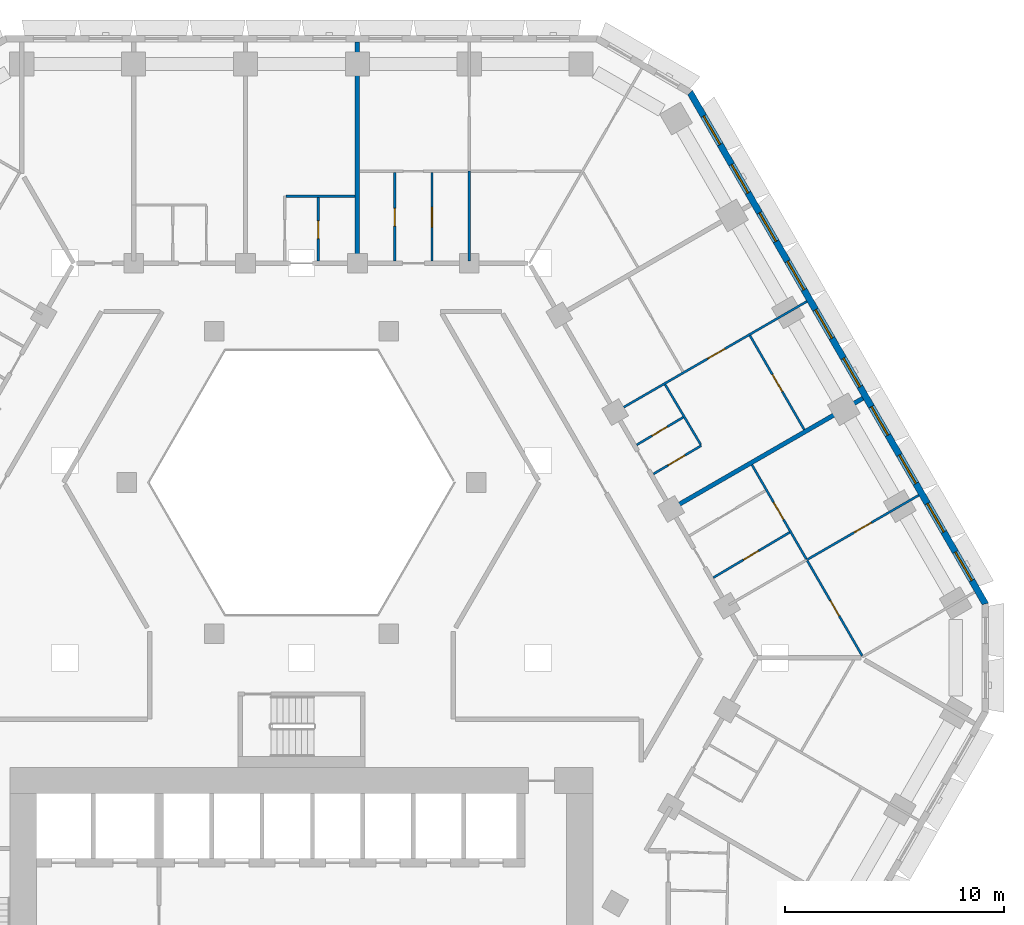
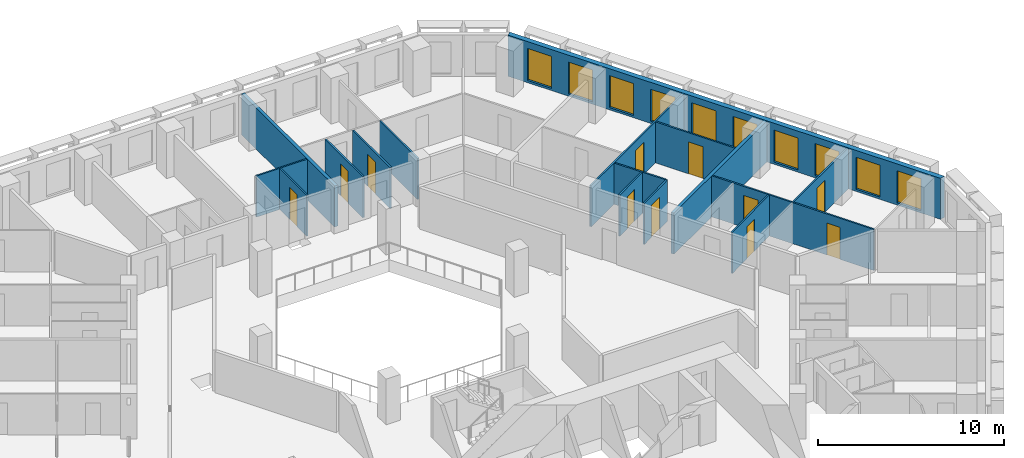
# One storey, part 11 of 21: 16 walls, 11 doors, 10 windows, 21 openings.
"""IFC4 building model written with IfcOpenShell, lengths in metres."""

from ifc_helpers import new_model, si_unit, direction, frame, frame_2d, origin, place, context, subcontext, project, spatial, polyline, rectangle, outline, extrude, material, layer, layer_set, type_object, element, fill, save


model = new_model("IFC4")

# Units and contexts
model_context = context("Model", 3, precision=1e-05, world=origin(), true_north=direction((0.0, 1.0)))
body_context = subcontext(model_context, "Body", "Model", "MODEL_VIEW")
ifc_project = project(units=[si_unit("LENGTHUNIT", "METRE"), si_unit("AREAUNIT", "SQUARE_METRE"), si_unit("VOLUMEUNIT", "CUBIC_METRE"), si_unit("PLANEANGLEUNIT", "RADIAN"), si_unit("MASSUNIT", "GRAM", prefix="KILO")], contexts=[model_context])

# Site, building, storey
site_placement = place(None, origin())
site = spatial("IfcSite", under=ifc_project, at=site_placement, CompositionType="ELEMENT")
building_placement = place(site_placement, origin())
building = spatial("IfcBuilding", under=site, at=building_placement, Name="Beryl Residences", CompositionType="ELEMENT")
storey_placement = place(building_placement, frame((0.0, 0.0, 23.39990234375)))
storey = spatial("IfcBuildingStorey", under=building, at=storey_placement, Name="L06", CompositionType="ELEMENT", Elevation=23.39990234375)

# Wall, openings, windows
ifc_material_1 = material(Name="Composite metal panel with mineral wool insulation")
ifc_layer_1 = layer(ifc_material_1, 0.300048828125)
ifc_layer_set_1 = layer_set([ifc_layer_1], Name="ES1 pale metal composite panel wall 300 mm")
wall_type_1 = type_object("IfcWallType", Name="ES1 pale metal composite panel wall 300 mm", PredefinedType="SOLIDWALL", material=ifc_layer_set_1)
wall_1_placement = place(storey_placement, frame((31.219970703125, 2.425048828125, 0.0), z_axis=(0.0, 0.0, 1.0), x_axis=(-0.500001938803, 0.866024284413, 0.0)))
wall_1 = element("IfcWall", 1, at=wall_1_placement, inside=storey, type_object=wall_type_1, Name="ES1 external wall L06 NE", PredefinedType="SOLIDWALL", context=body_context, shape_type="SweptSolid", body=[
    extrude(outline(polyline([(0.0, -0.14990234375), (27.02001953125, -0.14990234375), (26.939697265625, 0.14990234375), (0.080322265625, 0.14990234375), (0.0, -0.14990234375)])), origin(), (0.0, 0.0, 1.0), 2.7001953125),
])
opening_1_placement = place(wall_1_placement, frame((1.277099609375, 0.0, 0.14990234375)))
opening_1 = element("IfcOpeningElement", 2, at=opening_1_placement, cuts=wall_1, Name="Opening W1", PredefinedType="OPENING", context=body_context, shape_type="SweptSolid", body=[
    extrude(rectangle(XDim=1.5, YDim=2.10009765625, at=frame_2d((0.75, 1.050048828125))), frame((0.0, 0.159912109375, 0.0), z_axis=(0.0, -1.0, 0.0), x_axis=(1.0, 0.0, 0.0)), (0.0, 0.0, 1.0), 0.320068359375),
])
opening_2_placement = place(wall_1_placement, frame((3.8291015625, 0.0, 0.14990234375)))
opening_2 = element("IfcOpeningElement", 3, at=opening_2_placement, cuts=wall_1, Name="Opening W1", PredefinedType="OPENING", context=body_context, shape_type="SweptSolid", body=[
    extrude(rectangle(XDim=1.5, YDim=2.10009765625, at=frame_2d((0.75, 1.050048828125))), frame((0.0, 0.159912109375, 0.0), z_axis=(0.0, -1.0, 0.0), x_axis=(1.0, 0.0, 0.0)), (0.0, 0.0, 1.0), 0.320068359375),
])
opening_3_placement = place(wall_1_placement, frame((6.382080078125, 0.0, 0.14990234375)))
opening_3 = element("IfcOpeningElement", 4, at=opening_3_placement, cuts=wall_1, Name="Opening W1", PredefinedType="OPENING", context=body_context, shape_type="SweptSolid", body=[
    extrude(rectangle(XDim=1.5, YDim=2.10009765625, at=frame_2d((0.75, 1.050048828125))), frame((0.0, 0.159912109375, 0.0), z_axis=(0.0, -1.0, 0.0), x_axis=(1.0, 0.0, 0.0)), (0.0, 0.0, 1.0), 0.320068359375),
])
opening_4_placement = place(wall_1_placement, frame((8.93310546875, 0.0, 0.14990234375)))
opening_4 = element("IfcOpeningElement", 5, at=opening_4_placement, cuts=wall_1, Name="Opening W1", PredefinedType="OPENING", context=body_context, shape_type="SweptSolid", body=[
    extrude(rectangle(XDim=1.5, YDim=2.10009765625, at=frame_2d((0.75, 1.050048828125))), frame((0.0, 0.159912109375, 0.0), z_axis=(0.0, -1.0, 0.0), x_axis=(1.0, 0.0, 0.0)), (0.0, 0.0, 1.0), 0.320068359375),
])
opening_5_placement = place(wall_1_placement, frame((11.485107421875, 0.0, 0.14990234375)))
opening_5 = element("IfcOpeningElement", 6, at=opening_5_placement, cuts=wall_1, Name="Opening W1", PredefinedType="OPENING", context=body_context, shape_type="SweptSolid", body=[
    extrude(rectangle(XDim=1.5, YDim=2.10009765625, at=frame_2d((0.75, 1.050048828125))), frame((0.0, 0.159912109375, 0.0), z_axis=(0.0, -1.0, 0.0), x_axis=(1.0, 0.0, 0.0)), (0.0, 0.0, 1.0), 0.320068359375),
])
opening_6_placement = place(wall_1_placement, frame((14.037109375, 0.0, 0.14990234375)))
opening_6 = element("IfcOpeningElement", 7, at=opening_6_placement, cuts=wall_1, Name="Opening W1", PredefinedType="OPENING", context=body_context, shape_type="SweptSolid", body=[
    extrude(rectangle(XDim=1.5, YDim=2.10009765625, at=frame_2d((0.75, 1.050048828125))), frame((0.0, 0.159912109375, 0.0), z_axis=(0.0, -1.0, 0.0), x_axis=(1.0, 0.0, 0.0)), (0.0, 0.0, 1.0), 0.320068359375),
])
opening_7_placement = place(wall_1_placement, frame((16.589111328125, 0.0, 0.14990234375)))
opening_7 = element("IfcOpeningElement", 8, at=opening_7_placement, cuts=wall_1, Name="Opening W1", PredefinedType="OPENING", context=body_context, shape_type="SweptSolid", body=[
    extrude(rectangle(XDim=1.5, YDim=2.10009765625, at=frame_2d((0.75, 1.050048828125))), frame((0.0, 0.159912109375, 0.0), z_axis=(0.0, -1.0, 0.0), x_axis=(1.0, 0.0, 0.0)), (0.0, 0.0, 1.0), 0.320068359375),
])
opening_8_placement = place(wall_1_placement, frame((19.14111328125, 0.0, 0.14990234375)))
opening_8 = element("IfcOpeningElement", 9, at=opening_8_placement, cuts=wall_1, Name="Opening W1", PredefinedType="OPENING", context=body_context, shape_type="SweptSolid", body=[
    extrude(rectangle(XDim=1.5, YDim=2.10009765625, at=frame_2d((0.75, 1.050048828125))), frame((0.0, 0.159912109375, 0.0), z_axis=(0.0, -1.0, 0.0), x_axis=(1.0, 0.0, 0.0)), (0.0, 0.0, 1.0), 0.320068359375),
])
opening_9_placement = place(wall_1_placement, frame((21.693115234375, 0.0, 0.14990234375)))
opening_9 = element("IfcOpeningElement", 10, at=opening_9_placement, cuts=wall_1, Name="Opening W1", PredefinedType="OPENING", context=body_context, shape_type="SweptSolid", body=[
    extrude(rectangle(XDim=1.5, YDim=2.10009765625, at=frame_2d((0.75, 1.050048828125))), frame((0.0, 0.159912109375, 0.0), z_axis=(0.0, -1.0, 0.0), x_axis=(1.0, 0.0, 0.0)), (0.0, 0.0, 1.0), 0.320068359375),
])
opening_10_placement = place(wall_1_placement, frame((24.243896484375, 0.0, 0.14990234375)))
opening_10 = element("IfcOpeningElement", 11, at=opening_10_placement, cuts=wall_1, Name="Opening W1", PredefinedType="OPENING", context=body_context, shape_type="SweptSolid", body=[
    extrude(rectangle(XDim=1.5, YDim=2.10009765625, at=frame_2d((0.75, 1.050048828125))), frame((0.0, 0.159912109375, 0.0), z_axis=(0.0, -1.0, 0.0), x_axis=(1.0, 0.0, 0.0)), (0.0, 0.0, 1.0), 0.320068359375),
])
ifc_material_2 = material(Name="Aluminium and clear glass", Category="aluminium")
window_type = type_object("IfcWindowType", Name="W1 cell window 1500 x 2100 mm", PartitioningType="SINGLE_PANEL", PredefinedType="WINDOW", material=ifc_material_2)
window_1_placement = place(opening_1_placement, origin())
window_1 = element("IfcWindow", 12, at=window_1_placement, inside=storey, type_object=window_type, Name="W1 window L06 NE 1", OverallHeight=2.10009765625, OverallWidth=1.5, PartitioningType="SINGLE_PANEL", PredefinedType="WINDOW", context=body_context, shape_type="SweptSolid", body=[
    extrude(rectangle(XDim=1.5, YDim=2.10009765625, at=frame_2d((0.75, 1.050048828125))), frame((0.0, 0.030029296875, 0.0), z_axis=(0.0, -1.0, 0.0), x_axis=(1.0, 0.0, 0.0)), (0.0, 0.0, 1.0), 0.06005859375),
])
fill(opening_1, window_1)
window_2_placement = place(opening_2_placement, origin())
window_2 = element("IfcWindow", 13, at=window_2_placement, inside=storey, type_object=window_type, Name="W1 window L06 NE 2", OverallHeight=2.10009765625, OverallWidth=1.5, PartitioningType="SINGLE_PANEL", PredefinedType="WINDOW", context=body_context, shape_type="SweptSolid", body=[
    extrude(rectangle(XDim=1.5, YDim=2.10009765625, at=frame_2d((0.75, 1.050048828125))), frame((0.0, 0.030029296875, 0.0), z_axis=(0.0, -1.0, 0.0), x_axis=(1.0, 0.0, 0.0)), (0.0, 0.0, 1.0), 0.06005859375),
])
fill(opening_2, window_2)
window_3_placement = place(opening_3_placement, origin())
window_3 = element("IfcWindow", 14, at=window_3_placement, inside=storey, type_object=window_type, Name="W1 window L06 NE 3", OverallHeight=2.10009765625, OverallWidth=1.5, PartitioningType="SINGLE_PANEL", PredefinedType="WINDOW", context=body_context, shape_type="SweptSolid", body=[
    extrude(rectangle(XDim=1.5, YDim=2.10009765625, at=frame_2d((0.75, 1.050048828125))), frame((0.0, 0.030029296875, 0.0), z_axis=(0.0, -1.0, 0.0), x_axis=(1.0, 0.0, 0.0)), (0.0, 0.0, 1.0), 0.06005859375),
])
fill(opening_3, window_3)
window_4_placement = place(opening_4_placement, origin())
window_4 = element("IfcWindow", 15, at=window_4_placement, inside=storey, type_object=window_type, Name="W1 window L06 NE 4", OverallHeight=2.10009765625, OverallWidth=1.5, PartitioningType="SINGLE_PANEL", PredefinedType="WINDOW", context=body_context, shape_type="SweptSolid", body=[
    extrude(rectangle(XDim=1.5, YDim=2.10009765625, at=frame_2d((0.75, 1.050048828125))), frame((0.0, 0.030029296875, 0.0), z_axis=(0.0, -1.0, 0.0), x_axis=(1.0, 0.0, 0.0)), (0.0, 0.0, 1.0), 0.06005859375),
])
fill(opening_4, window_4)
window_5_placement = place(opening_5_placement, origin())
window_5 = element("IfcWindow", 16, at=window_5_placement, inside=storey, type_object=window_type, Name="W1 window L06 NE 5", OverallHeight=2.10009765625, OverallWidth=1.5, PartitioningType="SINGLE_PANEL", PredefinedType="WINDOW", context=body_context, shape_type="SweptSolid", body=[
    extrude(rectangle(XDim=1.5, YDim=2.10009765625, at=frame_2d((0.75, 1.050048828125))), frame((0.0, 0.030029296875, 0.0), z_axis=(0.0, -1.0, 0.0), x_axis=(1.0, 0.0, 0.0)), (0.0, 0.0, 1.0), 0.06005859375),
])
fill(opening_5, window_5)
window_6_placement = place(opening_6_placement, origin())
window_6 = element("IfcWindow", 17, at=window_6_placement, inside=storey, type_object=window_type, Name="W1 window L06 NE 6", OverallHeight=2.10009765625, OverallWidth=1.5, PartitioningType="SINGLE_PANEL", PredefinedType="WINDOW", context=body_context, shape_type="SweptSolid", body=[
    extrude(rectangle(XDim=1.5, YDim=2.10009765625, at=frame_2d((0.75, 1.050048828125))), frame((0.0, 0.030029296875, 0.0), z_axis=(0.0, -1.0, 0.0), x_axis=(1.0, 0.0, 0.0)), (0.0, 0.0, 1.0), 0.06005859375),
])
fill(opening_6, window_6)
window_7_placement = place(opening_7_placement, origin())
window_7 = element("IfcWindow", 18, at=window_7_placement, inside=storey, type_object=window_type, Name="W1 window L06 NE 7", OverallHeight=2.10009765625, OverallWidth=1.5, PartitioningType="SINGLE_PANEL", PredefinedType="WINDOW", context=body_context, shape_type="SweptSolid", body=[
    extrude(rectangle(XDim=1.5, YDim=2.10009765625, at=frame_2d((0.75, 1.050048828125))), frame((0.0, 0.030029296875, 0.0), z_axis=(0.0, -1.0, 0.0), x_axis=(1.0, 0.0, 0.0)), (0.0, 0.0, 1.0), 0.06005859375),
])
fill(opening_7, window_7)
window_8_placement = place(opening_8_placement, origin())
window_8 = element("IfcWindow", 19, at=window_8_placement, inside=storey, type_object=window_type, Name="W1 window L06 NE 8", OverallHeight=2.10009765625, OverallWidth=1.5, PartitioningType="SINGLE_PANEL", PredefinedType="WINDOW", context=body_context, shape_type="SweptSolid", body=[
    extrude(rectangle(XDim=1.5, YDim=2.10009765625, at=frame_2d((0.75, 1.050048828125))), frame((0.0, 0.030029296875, 0.0), z_axis=(0.0, -1.0, 0.0), x_axis=(1.0, 0.0, 0.0)), (0.0, 0.0, 1.0), 0.06005859375),
])
fill(opening_8, window_8)
window_9_placement = place(opening_9_placement, origin())
window_9 = element("IfcWindow", 20, at=window_9_placement, inside=storey, type_object=window_type, Name="W1 window L06 NE 9", OverallHeight=2.10009765625, OverallWidth=1.5, PartitioningType="SINGLE_PANEL", PredefinedType="WINDOW", context=body_context, shape_type="SweptSolid", body=[
    extrude(rectangle(XDim=1.5, YDim=2.10009765625, at=frame_2d((0.75, 1.050048828125))), frame((0.0, 0.030029296875, 0.0), z_axis=(0.0, -1.0, 0.0), x_axis=(1.0, 0.0, 0.0)), (0.0, 0.0, 1.0), 0.06005859375),
])
fill(opening_9, window_9)
window_10_placement = place(opening_10_placement, origin())
window_10 = element("IfcWindow", 21, at=window_10_placement, inside=storey, type_object=window_type, Name="W1 window L06 NE 10", OverallHeight=2.10009765625, OverallWidth=1.5, PartitioningType="SINGLE_PANEL", PredefinedType="WINDOW", context=body_context, shape_type="SweptSolid", body=[
    extrude(rectangle(XDim=1.5, YDim=2.10009765625, at=frame_2d((0.75, 1.050048828125))), frame((0.0, 0.030029296875, 0.0), z_axis=(0.0, -1.0, 0.0), x_axis=(1.0, 0.0, 0.0)), (0.0, 0.0, 1.0), 0.06005859375),
])
fill(opening_10, window_10)

# Wall
ifc_material_3 = material(Name="Gypsum board partition on steel studs", Category="steel")
ifc_layer_2 = layer(ifc_material_3, 0.10009765625)
ifc_layer_set_2 = layer_set([ifc_layer_2], Name="PT1 partition 100 mm gypsum board on steel studs")
wall_type_2 = type_object("IfcWallType", Name="PT1 partition 100 mm gypsum board on steel studs", PredefinedType="PARTITIONING", material=ifc_layer_set_2)
wall_2_placement = place(storey_placement, frame((16.589111328125, 12.468017578125, 0.0), z_axis=(0.0, 0.0, 1.0), x_axis=(0.510331599186, -0.859977708358, 0.0)))
element("IfcWall", 22, at=wall_2_placement, inside=storey, type_object=wall_type_2, Name="Wall PT1 L06 001", PredefinedType="PARTITIONING", context=body_context, shape_type="SweptSolid", body=[
    extrude(rectangle(XDim=3.18603515625, YDim=0.10009765625, at=frame_2d((1.593017578125, 0.0))), origin(), (0.0, 0.0, 1.0), 2.7001953125),
])

# Wall, openings, doors
wall_3_placement = place(storey_placement, frame((20.551025390625, 8.804931640625, 0.0), z_axis=(0.0, 0.0, 1.0), x_axis=(0.499984387913, -0.86603441724, 0.0)))
wall_3 = element("IfcWall", 23, at=wall_3_placement, inside=storey, type_object=wall_type_2, Name="Wall PT1 L06 005", PredefinedType="PARTITIONING", context=body_context, shape_type="SweptSolid", body=[
    extrude(rectangle(XDim=10.058349609375, YDim=0.10009765625, at=frame_2d((5.029296875, 0.0))), origin(), (0.0, 0.0, 1.0), 2.7001953125),
])
opening_11_placement = place(wall_3_placement, frame((1.97802734375, 0.0, 0.0)))
opening_11 = element("IfcOpeningElement", 24, at=opening_11_placement, cuts=wall_3, Name="Opening D0131", PredefinedType="OPENING", context=body_context, shape_type="SweptSolid", body=[
    extrude(rectangle(XDim=0.89990234375, YDim=2.10009765625, at=frame_2d((0.449951171875, 1.050048828125))), frame((0.0, 0.06005859375, 0.0), z_axis=(0.0, -1.0, 0.0), x_axis=(1.0, 0.0, 0.0)), (0.0, 0.0, 1.0), 0.1201171875),
])
opening_12_placement = place(wall_3_placement, frame((7.156982421875, 0.0, 0.0)))
opening_12 = element("IfcOpeningElement", 25, at=opening_12_placement, cuts=wall_3, Name="Opening D0134", PredefinedType="OPENING", context=body_context, shape_type="SweptSolid", body=[
    extrude(rectangle(XDim=0.800048828125, YDim=2.10009765625, at=frame_2d((0.39990234375, 1.050048828125))), frame((0.0, 0.06005859375, 0.0), z_axis=(0.0, -1.0, 0.0), x_axis=(1.0, 0.0, 0.0)), (0.0, 0.0, 1.0), 0.1201171875),
])
ifc_material_4 = material(Name="Timber door leaf", Category="wood")
door_type_1 = type_object("IfcDoorType", Name="D2 room door 900 x 2100 mm", OperationType="SINGLE_SWING_LEFT", PredefinedType="DOOR", material=ifc_material_4)
door_1_placement = place(opening_11_placement, origin())
door_1 = element("IfcDoor", 26, at=door_1_placement, inside=storey, type_object=door_type_1, Name="Door D0131 L06 001", OperationType="SINGLE_SWING_LEFT", OverallHeight=2.10009765625, OverallWidth=0.89990234375, PredefinedType="DOOR", context=body_context, shape_type="SweptSolid", body=[
    extrude(rectangle(XDim=0.89990234375, YDim=2.10009765625, at=frame_2d((0.449951171875, 1.050048828125))), frame((0.0, 0.02490234375, 0.0), z_axis=(0.0, -1.0, 0.0), x_axis=(1.0, 0.0, 0.0)), (0.0, 0.0, 1.0), 0.050048828125),
])
fill(opening_11, door_1)
ifc_material_5 = material(Name="Timber door leaf", Category="wood")
door_type_2 = type_object("IfcDoorType", Name="D3 bathroom door 800 x 2100 mm", OperationType="SINGLE_SWING_LEFT", PredefinedType="DOOR", material=ifc_material_5)
door_2_placement = place(opening_12_placement, origin())
door_2 = element("IfcDoor", 27, at=door_2_placement, inside=storey, type_object=door_type_2, Name="Door D0134 L06 001", OperationType="SINGLE_SWING_RIGHT", OverallHeight=2.10009765625, OverallWidth=0.800048828125, PredefinedType="DOOR", context=body_context, shape_type="SweptSolid", body=[
    extrude(rectangle(XDim=0.800048828125, YDim=2.10009765625, at=frame_2d((0.39990234375, 1.050048828125))), frame((0.0, 0.02490234375, 0.0), z_axis=(0.0, -1.0, 0.0), x_axis=(1.0, 0.0, 0.0)), (0.0, 0.0, 1.0), 0.050048828125),
])
fill(opening_12, door_2)

# Wall, opening, door
wall_4_placement = place(storey_placement, frame((20.4599609375, 14.702880859375, 0.0), z_axis=(0.0, 0.0, 1.0), x_axis=(0.499903082856, -0.866081351693, 0.0)))
wall_4 = element("IfcWall", 28, at=wall_4_placement, inside=storey, type_object=wall_type_2, Name="Wall PT1 L06 006", PredefinedType="PARTITIONING", context=body_context, shape_type="SweptSolid", body=[
    extrude(rectangle(XDim=4.953125, YDim=0.10009765625, at=frame_2d((2.4765625, 0.0))), origin(), (0.0, 0.0, 1.0), 2.7001953125),
])
opening_13_placement = place(wall_4_placement, frame((2.052001953125, 0.0, 0.0)))
opening_13 = element("IfcOpeningElement", 29, at=opening_13_placement, cuts=wall_4, Name="Opening D0138", PredefinedType="OPENING", context=body_context, shape_type="SweptSolid", body=[
    extrude(rectangle(XDim=0.89990234375, YDim=2.10009765625, at=frame_2d((0.449951171875, 1.050048828125))), frame((0.0, 0.06005859375, 0.0), z_axis=(0.0, -1.0, 0.0), x_axis=(1.0, 0.0, 0.0)), (0.0, 0.0, 1.0), 0.1201171875),
])
door_3_placement = place(opening_13_placement, origin())
door_3 = element("IfcDoor", 30, at=door_3_placement, inside=storey, type_object=door_type_1, Name="Door D0138 L06 001", OperationType="SINGLE_SWING_RIGHT", OverallHeight=2.10009765625, OverallWidth=0.89990234375, PredefinedType="DOOR", context=body_context, shape_type="SweptSolid", body=[
    extrude(rectangle(XDim=0.89990234375, YDim=2.10009765625, at=frame_2d((0.449951171875, 1.050048828125))), frame((0.0, 0.02490234375, 0.0), z_axis=(0.0, -1.0, 0.0), x_axis=(1.0, 0.0, 0.0)), (0.0, 0.0, 1.0), 0.050048828125),
])
fill(opening_13, door_3)

# Wall
wall_5_placement = place(storey_placement, frame((-0.716064453125, 21.06005859375, 0.0), z_axis=(0.0, 0.0, 1.0), x_axis=(1.0, 0.0, 0.0)))
element("IfcWall", 31, at=wall_5_placement, inside=storey, type_object=wall_type_2, Name="Wall PT1 L06 033", PredefinedType="PARTITIONING", context=body_context, shape_type="SweptSolid", body=[
    extrude(rectangle(XDim=3.1669921875, YDim=0.10009765625, at=frame_2d((1.58349609375, 0.0))), origin(), (0.0, 0.0, 1.0), 2.7001953125),
])

# Wall, opening, door
wall_6_placement = place(storey_placement, frame((4.2529296875, 18.10009765625, 0.0), z_axis=(0.0, 0.0, 1.0), x_axis=(0.0, 1.0, 0.0)))
wall_6 = element("IfcWall", 32, at=wall_6_placement, inside=storey, type_object=wall_type_2, Name="Wall PT1 L06 042", PredefinedType="PARTITIONING", context=body_context, shape_type="SweptSolid", body=[
    extrude(rectangle(XDim=4.0498046875, YDim=0.10009765625, at=frame_2d((2.02490234375, 0.0))), origin(), (0.0, 0.0, 1.0), 2.7001953125),
])
opening_14_placement = place(wall_6_placement, frame((1.60009765625, 0.0, 0.0)))
opening_14 = element("IfcOpeningElement", 33, at=opening_14_placement, cuts=wall_6, Name="Opening D0142", PredefinedType="OPENING", context=body_context, shape_type="SweptSolid", body=[
    extrude(rectangle(XDim=0.800048828125, YDim=2.10009765625, at=frame_2d((0.39990234375, 1.050048828125))), frame((0.0, 0.06005859375, 0.0), z_axis=(0.0, -1.0, 0.0), x_axis=(1.0, 0.0, 0.0)), (0.0, 0.0, 1.0), 0.1201171875),
])
door_4_placement = place(opening_14_placement, origin())
door_4 = element("IfcDoor", 34, at=door_4_placement, inside=storey, type_object=door_type_2, Name="Door D0142 L06 001", OperationType="SINGLE_SWING_RIGHT", OverallHeight=2.10009765625, OverallWidth=0.800048828125, PredefinedType="DOOR", context=body_context, shape_type="SweptSolid", body=[
    extrude(rectangle(XDim=0.800048828125, YDim=2.10009765625, at=frame_2d((0.39990234375, 1.050048828125))), frame((0.0, 0.02490234375, 0.0), z_axis=(0.0, -1.0, 0.0), x_axis=(1.0, 0.0, 0.0)), (0.0, 0.0, 1.0), 0.050048828125),
])
fill(opening_14, door_4)

wall_7_placement = place(storey_placement, frame((5.952880859375, 18.10009765625, 0.0), z_axis=(0.0, 0.0, 1.0), x_axis=(0.0, 1.0, 0.0)))
wall_7 = element("IfcWall", 35, at=wall_7_placement, inside=storey, type_object=wall_type_2, Name="Wall PT1 L06 045", PredefinedType="PARTITIONING", context=body_context, shape_type="SweptSolid", body=[
    extrude(rectangle(XDim=4.0498046875, YDim=0.10009765625, at=frame_2d((2.02490234375, 0.0))), origin(), (0.0, 0.0, 1.0), 2.7001953125),
])
opening_15_placement = place(wall_7_placement, frame((1.550048828125, 0.0, 0.0)))
opening_15 = element("IfcOpeningElement", 36, at=opening_15_placement, cuts=wall_7, Name="Opening D0143", PredefinedType="OPENING", context=body_context, shape_type="SweptSolid", body=[
    extrude(rectangle(XDim=0.89990234375, YDim=2.10009765625, at=frame_2d((0.449951171875, 1.050048828125))), frame((0.0, 0.06005859375, 0.0), z_axis=(0.0, -1.0, 0.0), x_axis=(1.0, 0.0, 0.0)), (0.0, 0.0, 1.0), 0.1201171875),
])
door_5_placement = place(opening_15_placement, origin())
door_5 = element("IfcDoor", 37, at=door_5_placement, inside=storey, type_object=door_type_1, Name="Door D0143 L06 001", OperationType="SINGLE_SWING_LEFT", OverallHeight=2.10009765625, OverallWidth=0.89990234375, PredefinedType="DOOR", context=body_context, shape_type="SweptSolid", body=[
    extrude(rectangle(XDim=0.89990234375, YDim=2.10009765625, at=frame_2d((0.449951171875, 1.050048828125))), frame((0.0, 0.02490234375, 0.0), z_axis=(0.0, -1.0, 0.0), x_axis=(1.0, 0.0, 0.0)), (0.0, 0.0, 1.0), 0.050048828125),
])
fill(opening_15, door_5)

wall_8_placement = place(storey_placement, frame((0.764892578125, 18.10009765625, 0.0), z_axis=(0.0, 0.0, 1.0), x_axis=(0.0, 1.0, 0.0)))
wall_8 = element("IfcWall", 38, at=wall_8_placement, inside=storey, type_object=wall_type_2, Name="Wall PT1 L06 046", PredefinedType="PARTITIONING", context=body_context, shape_type="SweptSolid", body=[
    extrude(rectangle(XDim=2.909912109375, YDim=0.10009765625, at=frame_2d((1.455078125, 0.0))), origin(), (0.0, 0.0, 1.0), 2.7001953125),
])
opening_16_placement = place(wall_8_placement, frame((1.030029296875, 0.0, 0.0)))
opening_16 = element("IfcOpeningElement", 39, at=opening_16_placement, cuts=wall_8, Name="Opening D0151", PredefinedType="OPENING", context=body_context, shape_type="SweptSolid", body=[
    extrude(rectangle(XDim=0.800048828125, YDim=2.10009765625, at=frame_2d((0.39990234375, 1.050048828125))), frame((0.0, 0.06005859375, 0.0), z_axis=(0.0, -1.0, 0.0), x_axis=(1.0, 0.0, 0.0)), (0.0, 0.0, 1.0), 0.1201171875),
])
door_6_placement = place(opening_16_placement, origin())
door_6 = element("IfcDoor", 40, at=door_6_placement, inside=storey, type_object=door_type_2, Name="Door D0151 L06 001", OperationType="SINGLE_SWING_LEFT", OverallHeight=2.10009765625, OverallWidth=0.800048828125, PredefinedType="DOOR", context=body_context, shape_type="SweptSolid", body=[
    extrude(rectangle(XDim=0.800048828125, YDim=2.10009765625, at=frame_2d((0.39990234375, 1.050048828125))), frame((0.0, 0.02490234375, 0.0), z_axis=(0.0, -1.0, 0.0), x_axis=(1.0, 0.0, 0.0)), (0.0, 0.0, 1.0), 0.050048828125),
])
fill(opening_16, door_6)

# Wall
wall_9_placement = place(storey_placement, frame((7.655029296875, 18.10009765625, 0.0), z_axis=(0.0, 0.0, 1.0), x_axis=(0.0, 1.0, 0.0)))
element("IfcWall", 41, at=wall_9_placement, inside=storey, type_object=wall_type_2, Name="Wall PT1 L06 047", PredefinedType="PARTITIONING", context=body_context, shape_type="SweptSolid", body=[
    extrude(rectangle(XDim=4.099853515625, YDim=0.10009765625, at=frame_2d((2.0498046875, 0.0))), origin(), (0.0, 0.0, 1.0), 2.7001953125),
])

# Wall, opening, door
wall_10_placement = place(storey_placement, frame((14.39892578125, 11.260986328125, 0.0), z_axis=(0.0, 0.0, 1.0), x_axis=(0.866022959057, 0.500004234368, 0.0)))
wall_10 = element("IfcWall", 42, at=wall_10_placement, inside=storey, type_object=wall_type_2, Name="Wall PT1 L06 066", PredefinedType="PARTITIONING", context=body_context, shape_type="SweptSolid", body=[
    extrude(rectangle(XDim=10.0, YDim=0.10009765625, at=frame_2d((5.0, 0.0))), origin(), (0.0, 0.0, 1.0), 2.7001953125),
])
opening_17_placement = place(wall_10_placement, frame((4.77490234375, 0.0, 0.0)))
opening_17 = element("IfcOpeningElement", 43, at=opening_17_placement, cuts=wall_10, Name="Opening D0139", PredefinedType="OPENING", context=body_context, shape_type="SweptSolid", body=[
    extrude(rectangle(XDim=0.89990234375, YDim=2.10009765625, at=frame_2d((0.449951171875, 1.050048828125))), frame((0.0, 0.06005859375, 0.0), z_axis=(0.0, -1.0, 0.0), x_axis=(1.0, 0.0, 0.0)), (0.0, 0.0, 1.0), 0.1201171875),
])
door_7_placement = place(opening_17_placement, origin())
door_7 = element("IfcDoor", 44, at=door_7_placement, inside=storey, type_object=door_type_1, Name="Door D0139 L06 001", OperationType="SINGLE_SWING_LEFT", OverallHeight=2.10009765625, OverallWidth=0.89990234375, PredefinedType="DOOR", context=body_context, shape_type="SweptSolid", body=[
    extrude(rectangle(XDim=0.89990234375, YDim=2.10009765625, at=frame_2d((0.449951171875, 1.050048828125))), frame((0.0, 0.02490234375, 0.0), z_axis=(0.0, -1.0, 0.0), x_axis=(1.0, 0.0, 0.0)), (0.0, 0.0, 1.0), 0.050048828125),
])
fill(opening_17, door_7)

wall_11_placement = place(storey_placement, frame((18.7880859375, 3.657958984375, 0.0), z_axis=(0.0, 0.0, 1.0), x_axis=(0.860114269096, 0.510101405701, 0.0)))
wall_11 = element("IfcWall", 45, at=wall_11_placement, inside=storey, type_object=wall_type_2, Name="Wall PT1 L06 068", PredefinedType="PARTITIONING", context=body_context, shape_type="SweptSolid", body=[
    extrude(rectangle(XDim=4.050537109375, YDim=0.10009765625, at=frame_2d((2.025390625, 0.0))), origin(), (0.0, 0.0, 1.0), 2.7001953125),
])
opening_18_placement = place(wall_11_placement, frame((1.60009765625, 0.0, 0.0)))
opening_18 = element("IfcOpeningElement", 46, at=opening_18_placement, cuts=wall_11, Name="Opening D0129", PredefinedType="OPENING", context=body_context, shape_type="SweptSolid", body=[
    extrude(rectangle(XDim=0.800048828125, YDim=2.10009765625, at=frame_2d((0.39990234375, 1.050048828125))), frame((0.0, 0.06005859375, 0.0), z_axis=(0.0, -1.0, 0.0), x_axis=(1.0, 0.0, 0.0)), (0.0, 0.0, 1.0), 0.1201171875),
])
door_8_placement = place(opening_18_placement, origin())
door_8 = element("IfcDoor", 47, at=door_8_placement, inside=storey, type_object=door_type_2, Name="Door D0129 L06 001", OperationType="SINGLE_SWING_LEFT", OverallHeight=2.10009765625, OverallWidth=0.800048828125, PredefinedType="DOOR", context=body_context, shape_type="SweptSolid", body=[
    extrude(rectangle(XDim=0.800048828125, YDim=2.10009765625, at=frame_2d((0.39990234375, 1.050048828125))), frame((0.0, 0.02490234375, 0.0), z_axis=(0.0, -1.0, 0.0), x_axis=(1.0, 0.0, 0.0)), (0.0, 0.0, 1.0), 0.050048828125),
])
fill(opening_18, door_8)

wall_12_placement = place(storey_placement, frame((16.056884765625, 8.388916015625, 0.0), z_axis=(0.0, 0.0, 1.0), x_axis=(0.860036770423, 0.510232058499, 0.0)))
wall_12 = element("IfcWall", 48, at=wall_12_placement, inside=storey, type_object=wall_type_2, Name="Wall PT1 L06 069", PredefinedType="PARTITIONING", context=body_context, shape_type="SweptSolid", body=[
    extrude(rectangle(XDim=2.538330078125, YDim=0.10009765625, at=frame_2d((1.26904296875, 0.0))), origin(), (0.0, 0.0, 1.0), 2.7001953125),
])
opening_19_placement = place(wall_12_placement, frame((0.76904296875, 0.0, 0.0)))
opening_19 = element("IfcOpeningElement", 49, at=opening_19_placement, cuts=wall_12, Name="Opening D0136", PredefinedType="OPENING", context=body_context, shape_type="SweptSolid", body=[
    extrude(rectangle(XDim=0.89990234375, YDim=2.10009765625, at=frame_2d((0.449951171875, 1.050048828125))), frame((0.0, 0.06005859375, 0.0), z_axis=(0.0, -1.0, 0.0), x_axis=(1.0, 0.0, 0.0)), (0.0, 0.0, 1.0), 0.1201171875),
])
door_9_placement = place(opening_19_placement, origin())
door_9 = element("IfcDoor", 50, at=door_9_placement, inside=storey, type_object=door_type_1, Name="Door D0136 L06 001", OperationType="SINGLE_SWING_RIGHT", OverallHeight=2.10009765625, OverallWidth=0.89990234375, PredefinedType="DOOR", context=body_context, shape_type="SweptSolid", body=[
    extrude(rectangle(XDim=0.89990234375, YDim=2.10009765625, at=frame_2d((0.449951171875, 1.050048828125))), frame((0.0, 0.02490234375, 0.0), z_axis=(0.0, -1.0, 0.0), x_axis=(1.0, 0.0, 0.0)), (0.0, 0.0, 1.0), 0.050048828125),
])
fill(opening_19, door_9)

wall_13_placement = place(storey_placement, frame((15.291015625, 9.715087890625, 0.0), z_axis=(0.0, 0.0, 1.0), x_axis=(0.860087708271, 0.510146188932, 0.0)))
wall_13 = element("IfcWall", 51, at=wall_13_placement, inside=storey, type_object=wall_type_2, Name="Wall PT1 L06 070", PredefinedType="PARTITIONING", context=body_context, shape_type="SweptSolid", body=[
    extrude(rectangle(XDim=2.471923828125, YDim=0.10009765625, at=frame_2d((1.23583984375, 0.0))), origin(), (0.0, 0.0, 1.0), 2.7001953125),
])
opening_20_placement = place(wall_13_placement, frame((0.81005859375, 0.0, 0.0)))
opening_20 = element("IfcOpeningElement", 52, at=opening_20_placement, cuts=wall_13, Name="Opening D0137", PredefinedType="OPENING", context=body_context, shape_type="SweptSolid", body=[
    extrude(rectangle(XDim=0.800048828125, YDim=2.10009765625, at=frame_2d((0.39990234375, 1.050048828125))), frame((0.0, 0.06005859375, 0.0), z_axis=(0.0, -1.0, 0.0), x_axis=(1.0, 0.0, 0.0)), (0.0, 0.0, 1.0), 0.1201171875),
])
door_10_placement = place(opening_20_placement, origin())
door_10 = element("IfcDoor", 53, at=door_10_placement, inside=storey, type_object=door_type_2, Name="Door D0137 L06 001", OperationType="SINGLE_SWING_LEFT", OverallHeight=2.10009765625, OverallWidth=0.800048828125, PredefinedType="DOOR", context=body_context, shape_type="SweptSolid", body=[
    extrude(rectangle(XDim=0.800048828125, YDim=2.10009765625, at=frame_2d((0.39990234375, 1.050048828125))), frame((0.0, 0.02490234375, 0.0), z_axis=(0.0, -1.0, 0.0), x_axis=(1.0, 0.0, 0.0)), (0.0, 0.0, 1.0), 0.050048828125),
])
fill(opening_20, door_10)

wall_14_placement = place(storey_placement, frame((23.052978515625, 4.469970703125, 0.0), z_axis=(0.0, 0.0, 1.0), x_axis=(0.866052608538, 0.499952877023, 0.0)))
wall_14 = element("IfcWall", 54, at=wall_14_placement, inside=storey, type_object=wall_type_2, Name="Wall PT1 L06 072", PredefinedType="PARTITIONING", context=body_context, shape_type="SweptSolid", body=[
    extrude(rectangle(XDim=5.900390625, YDim=0.10009765625, at=frame_2d((2.9501953125, 0.0))), origin(), (0.0, 0.0, 1.0), 2.7001953125),
])
opening_21_placement = place(wall_14_placement, frame((2.5009765625, 0.0, 0.0)))
opening_21 = element("IfcOpeningElement", 55, at=opening_21_placement, cuts=wall_14, Name="Opening D0132", PredefinedType="OPENING", context=body_context, shape_type="SweptSolid", body=[
    extrude(rectangle(XDim=0.89990234375, YDim=2.10009765625, at=frame_2d((0.449951171875, 1.050048828125))), frame((0.0, 0.06005859375, 0.0), z_axis=(0.0, -1.0, 0.0), x_axis=(1.0, 0.0, 0.0)), (0.0, 0.0, 1.0), 0.1201171875),
])
door_11_placement = place(opening_21_placement, origin())
door_11 = element("IfcDoor", 56, at=door_11_placement, inside=storey, type_object=door_type_1, Name="Door D0132 L06 001", OperationType="SINGLE_SWING_RIGHT", OverallHeight=2.10009765625, OverallWidth=0.89990234375, PredefinedType="DOOR", context=body_context, shape_type="SweptSolid", body=[
    extrude(rectangle(XDim=0.89990234375, YDim=2.10009765625, at=frame_2d((0.449951171875, 1.050048828125))), frame((0.0, 0.02490234375, 0.0), z_axis=(0.0, -1.0, 0.0), x_axis=(1.0, 0.0, 0.0)), (0.0, 0.0, 1.0), 0.050048828125),
])
fill(opening_21, door_11)

# Walls
ifc_material_6 = material(Name="Acoustic double stud gypsum board wall")
ifc_layer_3 = layer(ifc_material_6, 0.199951171875)
ifc_layer_set_3 = layer_set([ifc_layer_3], Name="PT3 party wall 200 mm acoustic double stud")
wall_type_3 = type_object("IfcWallType", Name="PT3 party wall 200 mm acoustic double stud", PredefinedType="PARTITIONING", material=ifc_layer_set_3)
for number, where, z_axis, x_axis, name in (
    (57, (2.551025390625, 18.10009765625, 0.0), (0.0, 0.0, 1.0), (0.0, 1.0, 0.0), "Wall PT3 L06 018"),
    (58, (16.949951171875, 6.841064453125, 0.0), (0.0, 0.0, 1.0), (0.866022959057, 0.500004234368, 0.0), "Wall PT3 L06 025"),
):
    element("IfcWall", number, at=place(storey_placement, frame(where, z_axis=z_axis, x_axis=x_axis)), inside=storey, type_object=wall_type_3, Name=name, PredefinedType="PARTITIONING", context=body_context, shape_type="SweptSolid", body=[
        extrude(rectangle(XDim=10.0, YDim=0.199951171875, at=frame_2d((5.0, 0.0))), origin(), (0.0, 0.0, 1.0), 2.7001953125),
    ])

save(model, "model.ifc")
